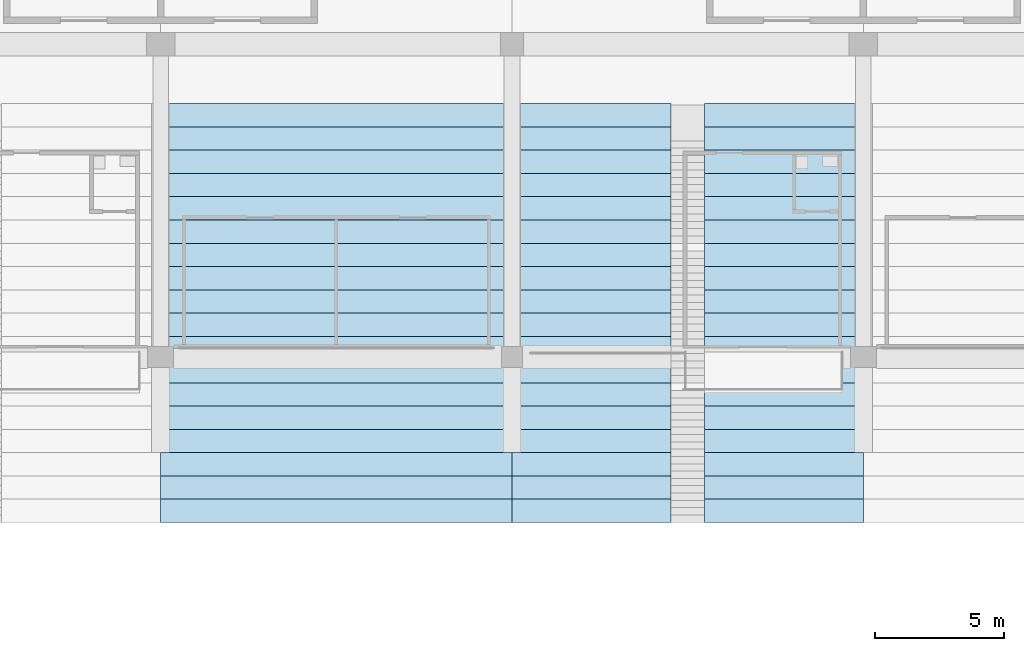
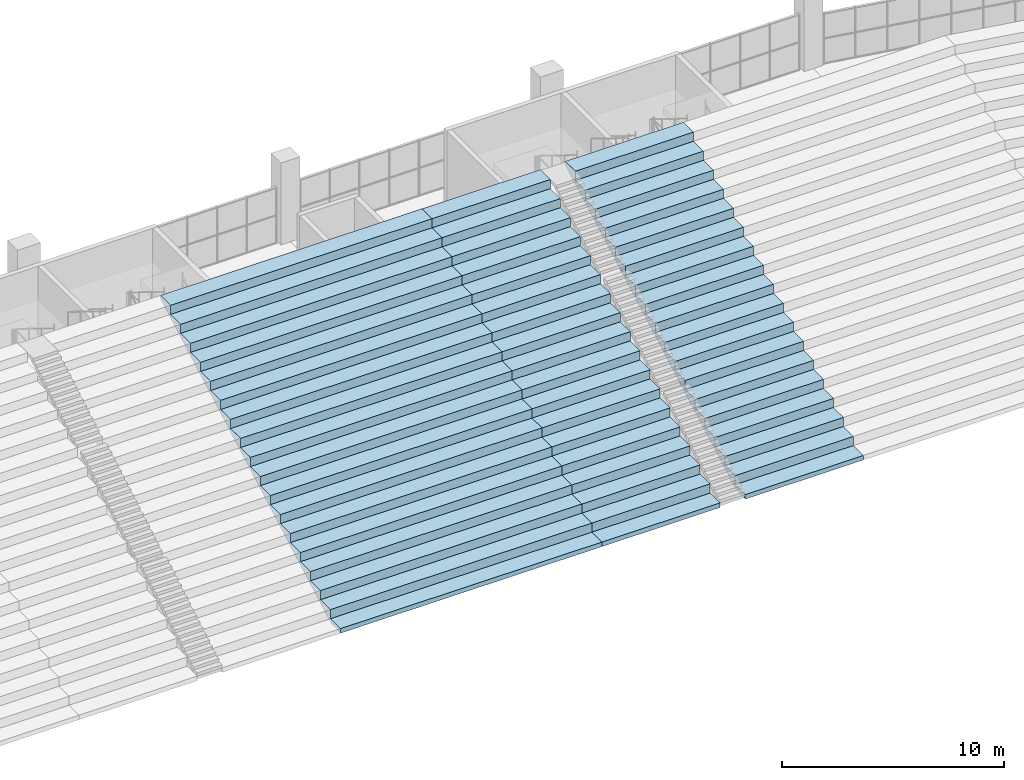
# One storey, part 126 of 249: 2 slabs.
"""IFC4 building model written with IfcOpenShell, lengths in metres."""

from ifc_helpers import new_model, si_unit, direction, frame, origin, place, context, subcontext, project, spatial, faceted_brep, material, layer, layer_set, type_object, element, save


model = new_model("IFC4")

# Units and contexts
model_context = context("Model", 3, precision=1e-05, world=origin(), true_north=direction((0.0, 1.0)))
body_context = subcontext(model_context, "Body", "Model", "MODEL_VIEW")
ifc_project = project(units=[si_unit("LENGTHUNIT", "METRE"), si_unit("AREAUNIT", "SQUARE_METRE"), si_unit("VOLUMEUNIT", "CUBIC_METRE"), si_unit("PLANEANGLEUNIT", "RADIAN"), si_unit("MASSUNIT", "GRAM", prefix="KILO")], contexts=[model_context])

# Site, building, storey
site_placement = place(None, origin())
site = spatial("IfcSite", under=ifc_project, at=site_placement, CompositionType="ELEMENT")
building_placement = place(site_placement, origin())
building = spatial("IfcBuilding", under=site, at=building_placement, Name="Ogive Plaza Stadium", CompositionType="ELEMENT")
storey_placement = place(building_placement, frame((0.0, 0.0, 13.5)))
storey = spatial("IfcBuildingStorey", under=building, at=storey_placement, Name="L03", CompositionType="ELEMENT", Elevation=13.5)

# Slabs
ifc_material = material(Name="Concrete C45/55 precast", Category="concrete")
ifc_layer = layer(ifc_material, 0.699951171875)
ifc_layer_set = layer_set([ifc_layer], Name="Concrete C45/55 precast")
slab_type = type_object("IfcSlabType", Name="Seating tier UT 700", PredefinedType="USERDEFINED", material=ifc_layer_set)
slab_1_placement = place(storey_placement, origin())
element("IfcSlab", 1, at=slab_1_placement, inside=storey, type_object=slab_type, Name="Stand UT B34", ObjectType="SEATING TIER", PredefinedType="USERDEFINED", context=body_context, shape_type="Brep", body=[
    faceted_brep([(6.800048828125, 74.0, 0.5), (6.800048828125, 74.89990234375, 0.5), (-6.800048828125, 74.89990234375, 0.5), (-6.800048828125, 74.0, 0.5), (6.800048828125, 74.89990234375, 0.300048828125), (-6.800048828125, 74.0, 0.25), (-6.800048828125, 74.89990234375, 0.300048828125), (6.800048828125, 74.0, 0.25), (6.800048828125, 74.89990234375, 1.0), (-6.800048828125, 74.89990234375, 1.0), (-6.800048828125, 75.800048828125, 1.0), (-6.800048828125, 75.800048828125, 0.800048828125), (-6.800048828125, 75.800048828125, 1.5), (-6.800048828125, 76.699951171875, 1.5), (-6.800048828125, 76.699951171875, 1.300048828125), (-6.800048828125, 76.699951171875, 2.0), (-6.800048828125, 77.60009765625, 2.0), (-6.800048828125, 77.60009765625, 1.800048828125), (-6.800048828125, 77.60009765625, 2.5), (-6.800048828125, 78.5, 2.5), (-6.800048828125, 78.5, 2.300048828125), (-6.800048828125, 78.5, 3.0), (-6.800048828125, 79.39990234375, 3.0), (-6.800048828125, 79.39990234375, 2.800048828125), (-6.800048828125, 79.39990234375, 3.5), (-6.800048828125, 80.300048828125, 3.5), (-6.800048828125, 80.300048828125, 3.300048828125), (-6.800048828125, 80.300048828125, 4.0), (-6.800048828125, 81.199951171875, 4.0), (-6.800048828125, 81.199951171875, 3.800048828125), (-6.800048828125, 81.199951171875, 4.5), (-6.800048828125, 82.10009765625, 4.5), (-6.800048828125, 82.10009765625, 4.300048828125), (-6.800048828125, 82.10009765625, 5.0), (-6.800048828125, 83.0, 5.0), (-6.800048828125, 83.0, 4.800048828125), (-6.800048828125, 83.0, 5.5), (-6.800048828125, 83.89990234375, 5.5), (-6.800048828125, 83.89990234375, 5.300048828125), (-6.800048828125, 83.89990234375, 6.0), (-6.800048828125, 84.800048828125, 6.0), (-6.800048828125, 84.800048828125, 5.800048828125), (-6.800048828125, 84.800048828125, 6.5), (-6.800048828125, 85.699951171875, 6.5), (-6.800048828125, 85.699951171875, 6.300048828125), (-6.800048828125, 85.699951171875, 7.0), (-6.800048828125, 86.60009765625, 7.0), (-6.800048828125, 86.60009765625, 6.800048828125), (-6.800048828125, 86.60009765625, 7.5), (-6.800048828125, 87.5, 7.5), (-6.800048828125, 87.5, 7.300048828125), (-6.800048828125, 87.5, 8.0), (-6.800048828125, 88.39990234375, 8.0), (-6.800048828125, 88.39990234375, 7.800048828125), (-6.800048828125, 88.39990234375, 8.5), (-6.800048828125, 89.300048828125, 8.5), (-6.800048828125, 89.300048828125, 8.300048828125), (-6.800048828125, 89.300048828125, 9.0), (-6.800048828125, 90.199951171875, 9.0), (-6.800048828125, 90.199951171875, 8.800048828125), (6.800048828125, 75.800048828125, 1.0), (6.800048828125, 75.800048828125, 0.800048828125), (6.800048828125, 76.699951171875, 1.5), (6.800048828125, 75.800048828125, 1.5), (6.800048828125, 76.699951171875, 1.300048828125), (6.800048828125, 77.60009765625, 2.0), (6.800048828125, 76.699951171875, 2.0), (6.800048828125, 77.60009765625, 1.800048828125), (6.800048828125, 78.5, 2.5), (6.800048828125, 77.60009765625, 2.5), (6.800048828125, 78.5, 2.300048828125), (6.800048828125, 79.39990234375, 3.0), (6.800048828125, 78.5, 3.0), (6.800048828125, 79.39990234375, 2.800048828125), (6.800048828125, 80.300048828125, 3.5), (6.800048828125, 79.39990234375, 3.5), (6.800048828125, 80.300048828125, 3.300048828125), (6.800048828125, 81.199951171875, 4.0), (6.800048828125, 80.300048828125, 4.0), (6.800048828125, 81.199951171875, 3.800048828125), (6.800048828125, 82.10009765625, 4.5), (6.800048828125, 81.199951171875, 4.5), (6.800048828125, 82.10009765625, 4.300048828125), (6.800048828125, 83.0, 5.0), (6.800048828125, 82.10009765625, 5.0), (6.800048828125, 83.0, 4.800048828125), (6.800048828125, 83.89990234375, 5.5), (6.800048828125, 83.0, 5.5), (6.800048828125, 83.89990234375, 5.300048828125), (6.800048828125, 84.800048828125, 6.0), (6.800048828125, 83.89990234375, 6.0), (6.800048828125, 84.800048828125, 5.800048828125), (6.800048828125, 85.699951171875, 6.5), (6.800048828125, 84.800048828125, 6.5), (6.800048828125, 85.699951171875, 6.300048828125), (6.800048828125, 86.60009765625, 7.0), (6.800048828125, 85.699951171875, 7.0), (6.800048828125, 86.60009765625, 6.800048828125), (6.800048828125, 87.5, 7.5), (6.800048828125, 86.60009765625, 7.5), (6.800048828125, 87.5, 7.300048828125), (6.800048828125, 88.39990234375, 8.0), (6.800048828125, 87.5, 8.0), (6.800048828125, 88.39990234375, 7.800048828125), (6.800048828125, 89.300048828125, 8.5), (6.800048828125, 88.39990234375, 8.5), (6.800048828125, 89.300048828125, 8.300048828125), (6.800048828125, 90.199951171875, 9.0), (6.800048828125, 89.300048828125, 9.0), (6.800048828125, 90.199951171875, 8.800048828125)], [[[0, 1, 2]], [[2, 3, 0]], [[4, 5, 6]], [[4, 7, 5]], [[1, 8, 9]], [[9, 2, 1]], [[6, 5, 3]], [[6, 3, 2]], [[2, 9, 10]], [[10, 11, 6]], [[6, 2, 10]], [[10, 12, 13]], [[13, 14, 11]], [[11, 10, 13]], [[13, 15, 16]], [[16, 17, 14]], [[14, 13, 16]], [[16, 18, 19]], [[19, 20, 17]], [[17, 16, 19]], [[19, 21, 22]], [[22, 23, 20]], [[20, 19, 22]], [[22, 24, 25]], [[25, 26, 23]], [[23, 22, 25]], [[25, 27, 28]], [[28, 29, 26]], [[26, 25, 28]], [[28, 30, 31]], [[31, 32, 29]], [[29, 28, 31]], [[31, 33, 34]], [[34, 35, 32]], [[32, 31, 34]], [[34, 36, 37]], [[37, 38, 35]], [[35, 34, 37]], [[37, 39, 40]], [[40, 41, 38]], [[38, 37, 40]], [[40, 42, 43]], [[43, 44, 41]], [[41, 40, 43]], [[43, 45, 46]], [[46, 47, 44]], [[44, 43, 46]], [[46, 48, 49]], [[49, 50, 47]], [[47, 46, 49]], [[49, 51, 52]], [[52, 53, 50]], [[50, 49, 52]], [[52, 54, 55]], [[55, 56, 53]], [[53, 52, 55]], [[55, 57, 58]], [[58, 59, 56]], [[56, 55, 58]], [[3, 5, 7]], [[7, 0, 3]], [[0, 7, 4]], [[4, 1, 0]], [[60, 8, 1]], [[1, 4, 61]], [[61, 60, 1]], [[62, 63, 60]], [[60, 61, 64]], [[64, 62, 60]], [[65, 66, 62]], [[62, 64, 67]], [[67, 65, 62]], [[68, 69, 65]], [[65, 67, 70]], [[70, 68, 65]], [[71, 72, 68]], [[68, 70, 73]], [[73, 71, 68]], [[74, 75, 71]], [[71, 73, 76]], [[76, 74, 71]], [[77, 78, 74]], [[74, 76, 79]], [[79, 77, 74]], [[80, 81, 77]], [[77, 79, 82]], [[82, 80, 77]], [[83, 84, 80]], [[80, 82, 85]], [[85, 83, 80]], [[86, 87, 83]], [[83, 85, 88]], [[88, 86, 83]], [[89, 90, 86]], [[86, 88, 91]], [[91, 89, 86]], [[92, 93, 89]], [[89, 91, 94]], [[94, 92, 89]], [[95, 96, 92]], [[92, 94, 97]], [[97, 95, 92]], [[98, 99, 95]], [[95, 97, 100]], [[100, 98, 95]], [[101, 102, 98]], [[98, 100, 103]], [[103, 101, 98]], [[104, 105, 101]], [[101, 103, 106]], [[106, 104, 101]], [[107, 108, 104]], [[104, 106, 109]], [[109, 107, 104]], [[8, 60, 10]], [[10, 9, 8]], [[61, 6, 11]], [[61, 4, 6]], [[64, 11, 14]], [[64, 61, 11]], [[67, 14, 17]], [[67, 64, 14]], [[70, 17, 20]], [[70, 67, 17]], [[73, 20, 23]], [[73, 70, 20]], [[76, 23, 26]], [[76, 73, 23]], [[79, 26, 29]], [[79, 76, 26]], [[82, 29, 32]], [[82, 79, 29]], [[85, 32, 35]], [[85, 82, 32]], [[88, 35, 38]], [[88, 85, 35]], [[91, 38, 41]], [[91, 88, 38]], [[94, 41, 44]], [[94, 91, 41]], [[97, 44, 47]], [[97, 94, 44]], [[100, 47, 50]], [[100, 97, 47]], [[60, 63, 12]], [[12, 10, 60]], [[63, 62, 13]], [[13, 12, 63]], [[62, 66, 15]], [[15, 13, 62]], [[66, 65, 16]], [[16, 15, 66]], [[65, 69, 18]], [[18, 16, 65]], [[69, 68, 19]], [[19, 18, 69]], [[68, 72, 21]], [[21, 19, 68]], [[72, 71, 22]], [[22, 21, 72]], [[71, 75, 24]], [[24, 22, 71]], [[75, 74, 25]], [[25, 24, 75]], [[74, 78, 27]], [[27, 25, 74]], [[78, 77, 28]], [[28, 27, 78]], [[77, 81, 30]], [[30, 28, 77]], [[81, 80, 31]], [[31, 30, 81]], [[80, 84, 33]], [[33, 31, 80]], [[84, 83, 34]], [[34, 33, 84]], [[83, 87, 36]], [[36, 34, 83]], [[87, 86, 37]], [[37, 36, 87]], [[86, 90, 39]], [[39, 37, 86]], [[90, 89, 40]], [[40, 39, 90]], [[89, 93, 42]], [[42, 40, 89]], [[93, 92, 43]], [[43, 42, 93]], [[92, 96, 45]], [[45, 43, 92]], [[96, 95, 46]], [[46, 45, 96]], [[95, 99, 48]], [[48, 46, 95]], [[99, 98, 49]], [[49, 48, 99]], [[98, 102, 51]], [[51, 49, 98]], [[102, 101, 52]], [[52, 51, 102]], [[103, 50, 53]], [[103, 100, 50]], [[106, 53, 56]], [[106, 103, 53]], [[109, 56, 59]], [[109, 106, 56]], [[101, 105, 54]], [[54, 52, 101]], [[105, 104, 55]], [[55, 54, 105]], [[104, 108, 57]], [[57, 55, 104]], [[108, 107, 58]], [[58, 57, 108]], [[107, 109, 59]], [[59, 58, 107]]]),
])
slab_2_placement = place(storey_placement, origin())
element("IfcSlab", 2, at=slab_2_placement, inside=storey, type_object=slab_type, Name="Stand UT B35", ObjectType="SEATING TIER", PredefinedType="USERDEFINED", context=body_context, shape_type="Brep", body=[
    faceted_brep([(12.949951171875, 74.0, 0.5), (12.949951171875, 74.89990234375, 0.5), (6.800048828125, 74.89990234375, 0.5), (6.800048828125, 74.0, 0.5), (20.39990234375, 74.0, 0.5), (20.39990234375, 74.89990234375, 0.5), (14.25, 74.89990234375, 0.5), (14.25, 74.0, 0.5), (12.949951171875, 74.89990234375, 0.300048828125), (6.800048828125, 74.0, 0.25), (6.800048828125, 74.89990234375, 0.300048828125), (12.949951171875, 74.0, 0.25), (20.39990234375, 74.89990234375, 0.300048828125), (14.25, 74.0, 0.25), (14.25, 74.89990234375, 0.300048828125), (20.39990234375, 74.0, 0.25), (12.949951171875, 74.89990234375, 1.0), (6.800048828125, 74.89990234375, 1.0), (20.39990234375, 74.89990234375, 1.0), (14.25, 74.89990234375, 1.0), (6.800048828125, 75.800048828125, 1.0), (6.800048828125, 75.800048828125, 0.800048828125), (6.800048828125, 75.800048828125, 1.5), (6.800048828125, 76.699951171875, 1.5), (6.800048828125, 76.699951171875, 1.300048828125), (6.800048828125, 76.699951171875, 2.0), (6.800048828125, 77.60009765625, 2.0), (6.800048828125, 77.60009765625, 1.800048828125), (6.800048828125, 77.60009765625, 2.5), (6.800048828125, 78.5, 2.5), (6.800048828125, 78.5, 2.300048828125), (6.800048828125, 78.5, 3.0), (6.800048828125, 79.39990234375, 3.0), (6.800048828125, 79.39990234375, 2.800048828125), (6.800048828125, 79.39990234375, 3.5), (6.800048828125, 80.300048828125, 3.5), (6.800048828125, 80.300048828125, 3.300048828125), (6.800048828125, 80.300048828125, 4.0), (6.800048828125, 81.199951171875, 4.0), (6.800048828125, 81.199951171875, 3.800048828125), (6.800048828125, 81.199951171875, 4.5), (6.800048828125, 82.10009765625, 4.5), (6.800048828125, 82.10009765625, 4.300048828125), (6.800048828125, 82.10009765625, 5.0), (6.800048828125, 83.0, 5.0), (6.800048828125, 83.0, 4.800048828125), (6.800048828125, 83.0, 5.5), (6.800048828125, 83.89990234375, 5.5), (6.800048828125, 83.89990234375, 5.300048828125), (6.800048828125, 83.89990234375, 6.0), (6.800048828125, 84.800048828125, 6.0), (6.800048828125, 84.800048828125, 5.800048828125), (6.800048828125, 84.800048828125, 6.5), (6.800048828125, 85.699951171875, 6.5), (6.800048828125, 85.699951171875, 6.300048828125), (6.800048828125, 85.699951171875, 7.0), (6.800048828125, 86.60009765625, 7.0), (6.800048828125, 86.60009765625, 6.800048828125), (6.800048828125, 86.60009765625, 7.5), (6.800048828125, 87.5, 7.5), (6.800048828125, 87.5, 7.300048828125), (6.800048828125, 87.5, 8.0), (6.800048828125, 88.39990234375, 8.0), (6.800048828125, 88.39990234375, 7.800048828125), (6.800048828125, 88.39990234375, 8.5), (6.800048828125, 89.300048828125, 8.5), (6.800048828125, 89.300048828125, 8.300048828125), (6.800048828125, 89.300048828125, 9.0), (6.800048828125, 90.199951171875, 9.0), (6.800048828125, 90.199951171875, 8.800048828125), (12.949951171875, 75.800048828125, 1.0), (12.949951171875, 75.800048828125, 0.800048828125), (12.949951171875, 76.699951171875, 1.5), (12.949951171875, 75.800048828125, 1.5), (12.949951171875, 76.699951171875, 1.300048828125), (12.949951171875, 77.60009765625, 2.0), (12.949951171875, 76.699951171875, 2.0), (12.949951171875, 77.60009765625, 1.800048828125), (12.949951171875, 78.5, 2.5), (12.949951171875, 77.60009765625, 2.5), (12.949951171875, 78.5, 2.300048828125), (12.949951171875, 79.39990234375, 3.0), (12.949951171875, 78.5, 3.0), (12.949951171875, 79.39990234375, 2.800048828125), (12.949951171875, 80.300048828125, 3.5), (12.949951171875, 79.39990234375, 3.5), (12.949951171875, 80.300048828125, 3.300048828125), (12.949951171875, 81.199951171875, 4.0), (12.949951171875, 80.300048828125, 4.0), (12.949951171875, 81.199951171875, 3.800048828125), (12.949951171875, 82.10009765625, 4.5), (12.949951171875, 81.199951171875, 4.5), (12.949951171875, 82.10009765625, 4.300048828125), (12.949951171875, 83.0, 5.0), (12.949951171875, 82.10009765625, 5.0), (12.949951171875, 83.0, 4.800048828125), (12.949951171875, 83.89990234375, 5.5), (12.949951171875, 83.0, 5.5), (12.949951171875, 83.89990234375, 5.300048828125), (12.949951171875, 84.800048828125, 6.0), (12.949951171875, 83.89990234375, 6.0), (12.949951171875, 84.800048828125, 5.800048828125), (12.949951171875, 85.699951171875, 6.5), (12.949951171875, 84.800048828125, 6.5), (12.949951171875, 85.699951171875, 6.300048828125), (12.949951171875, 86.60009765625, 7.0), (12.949951171875, 85.699951171875, 7.0), (12.949951171875, 86.60009765625, 6.800048828125), (12.949951171875, 87.5, 7.5), (12.949951171875, 86.60009765625, 7.5), (12.949951171875, 87.5, 7.300048828125), (12.949951171875, 88.39990234375, 8.0), (12.949951171875, 87.5, 8.0), (12.949951171875, 88.39990234375, 7.800048828125), (12.949951171875, 89.300048828125, 8.5), (12.949951171875, 88.39990234375, 8.5), (12.949951171875, 89.300048828125, 8.300048828125), (12.949951171875, 90.199951171875, 9.0), (12.949951171875, 89.300048828125, 9.0), (12.949951171875, 90.199951171875, 8.800048828125), (14.25, 75.800048828125, 1.0), (14.25, 75.800048828125, 0.800048828125), (14.25, 75.800048828125, 1.5), (14.25, 76.699951171875, 1.5), (14.25, 76.699951171875, 1.300048828125), (14.25, 76.699951171875, 2.0), (14.25, 77.60009765625, 2.0), (14.25, 77.60009765625, 1.800048828125), (14.25, 77.60009765625, 2.5), (14.25, 78.5, 2.5), (14.25, 78.5, 2.300048828125), (14.25, 78.5, 3.0), (14.25, 79.39990234375, 3.0), (14.25, 79.39990234375, 2.800048828125), (14.25, 79.39990234375, 3.5), (14.25, 80.300048828125, 3.5), (14.25, 80.300048828125, 3.300048828125), (14.25, 80.300048828125, 4.0), (14.25, 81.199951171875, 4.0), (14.25, 81.199951171875, 3.800048828125), (14.25, 81.199951171875, 4.5), (14.25, 82.10009765625, 4.5), (14.25, 82.10009765625, 4.300048828125), (14.25, 82.10009765625, 5.0), (14.25, 83.0, 5.0), (14.25, 83.0, 4.800048828125), (14.25, 83.0, 5.5), (14.25, 83.89990234375, 5.5), (14.25, 83.89990234375, 5.300048828125), (14.25, 83.89990234375, 6.0), (14.25, 84.800048828125, 6.0), (14.25, 84.800048828125, 5.800048828125), (14.25, 84.800048828125, 6.5), (14.25, 85.699951171875, 6.5), (14.25, 85.699951171875, 6.300048828125), (14.25, 85.699951171875, 7.0), (14.25, 86.60009765625, 7.0), (14.25, 86.60009765625, 6.800048828125), (14.25, 86.60009765625, 7.5), (14.25, 87.5, 7.5), (14.25, 87.5, 7.300048828125), (14.25, 87.5, 8.0), (14.25, 88.39990234375, 8.0), (14.25, 88.39990234375, 7.800048828125), (14.25, 88.39990234375, 8.5), (14.25, 89.300048828125, 8.5), (14.25, 89.300048828125, 8.300048828125), (14.25, 89.300048828125, 9.0), (14.25, 90.199951171875, 9.0), (14.25, 90.199951171875, 8.800048828125), (20.39990234375, 75.800048828125, 1.0), (20.39990234375, 75.800048828125, 0.800048828125), (20.39990234375, 76.699951171875, 1.5), (20.39990234375, 75.800048828125, 1.5), (20.39990234375, 76.699951171875, 1.300048828125), (20.39990234375, 77.60009765625, 2.0), (20.39990234375, 76.699951171875, 2.0), (20.39990234375, 77.60009765625, 1.800048828125), (20.39990234375, 78.5, 2.5), (20.39990234375, 77.60009765625, 2.5), (20.39990234375, 78.5, 2.300048828125), (20.39990234375, 79.39990234375, 3.0), (20.39990234375, 78.5, 3.0), (20.39990234375, 79.39990234375, 2.800048828125), (20.39990234375, 80.300048828125, 3.5), (20.39990234375, 79.39990234375, 3.5), (20.39990234375, 80.300048828125, 3.300048828125), (20.39990234375, 81.199951171875, 4.0), (20.39990234375, 80.300048828125, 4.0), (20.39990234375, 81.199951171875, 3.800048828125), (20.39990234375, 82.10009765625, 4.5), (20.39990234375, 81.199951171875, 4.5), (20.39990234375, 82.10009765625, 4.300048828125), (20.39990234375, 83.0, 5.0), (20.39990234375, 82.10009765625, 5.0), (20.39990234375, 83.0, 4.800048828125), (20.39990234375, 83.89990234375, 5.5), (20.39990234375, 83.0, 5.5), (20.39990234375, 83.89990234375, 5.300048828125), (20.39990234375, 84.800048828125, 6.0), (20.39990234375, 83.89990234375, 6.0), (20.39990234375, 84.800048828125, 5.800048828125), (20.39990234375, 85.699951171875, 6.5), (20.39990234375, 84.800048828125, 6.5), (20.39990234375, 85.699951171875, 6.300048828125), (20.39990234375, 86.60009765625, 7.0), (20.39990234375, 85.699951171875, 7.0), (20.39990234375, 86.60009765625, 6.800048828125), (20.39990234375, 87.5, 7.5), (20.39990234375, 86.60009765625, 7.5), (20.39990234375, 87.5, 7.300048828125), (20.39990234375, 88.39990234375, 8.0), (20.39990234375, 87.5, 8.0), (20.39990234375, 88.39990234375, 7.800048828125), (20.39990234375, 89.300048828125, 8.5), (20.39990234375, 88.39990234375, 8.5), (20.39990234375, 89.300048828125, 8.300048828125), (20.39990234375, 90.199951171875, 9.0), (20.39990234375, 89.300048828125, 9.0), (20.39990234375, 90.199951171875, 8.800048828125)], [[[0, 1, 2]], [[2, 3, 0]], [[4, 5, 6]], [[6, 7, 4]], [[8, 9, 10]], [[8, 11, 9]], [[12, 13, 14]], [[12, 15, 13]], [[1, 16, 17]], [[17, 2, 1]], [[5, 18, 19]], [[19, 6, 5]], [[10, 9, 3]], [[10, 3, 2]], [[2, 17, 20]], [[20, 21, 10]], [[10, 2, 20]], [[20, 22, 23]], [[23, 24, 21]], [[21, 20, 23]], [[23, 25, 26]], [[26, 27, 24]], [[24, 23, 26]], [[26, 28, 29]], [[29, 30, 27]], [[27, 26, 29]], [[29, 31, 32]], [[32, 33, 30]], [[30, 29, 32]], [[32, 34, 35]], [[35, 36, 33]], [[33, 32, 35]], [[35, 37, 38]], [[38, 39, 36]], [[36, 35, 38]], [[38, 40, 41]], [[41, 42, 39]], [[39, 38, 41]], [[41, 43, 44]], [[44, 45, 42]], [[42, 41, 44]], [[44, 46, 47]], [[47, 48, 45]], [[45, 44, 47]], [[47, 49, 50]], [[50, 51, 48]], [[48, 47, 50]], [[50, 52, 53]], [[53, 54, 51]], [[51, 50, 53]], [[53, 55, 56]], [[56, 57, 54]], [[54, 53, 56]], [[56, 58, 59]], [[59, 60, 57]], [[57, 56, 59]], [[59, 61, 62]], [[62, 63, 60]], [[60, 59, 62]], [[62, 64, 65]], [[65, 66, 63]], [[63, 62, 65]], [[65, 67, 68]], [[68, 69, 66]], [[66, 65, 68]], [[3, 9, 11]], [[11, 0, 3]], [[7, 13, 15]], [[15, 4, 7]], [[0, 11, 8]], [[8, 1, 0]], [[70, 16, 1]], [[1, 8, 71]], [[71, 70, 1]], [[72, 73, 70]], [[70, 71, 74]], [[74, 72, 70]], [[75, 76, 72]], [[72, 74, 77]], [[77, 75, 72]], [[78, 79, 75]], [[75, 77, 80]], [[80, 78, 75]], [[81, 82, 78]], [[78, 80, 83]], [[83, 81, 78]], [[84, 85, 81]], [[81, 83, 86]], [[86, 84, 81]], [[87, 88, 84]], [[84, 86, 89]], [[89, 87, 84]], [[90, 91, 87]], [[87, 89, 92]], [[92, 90, 87]], [[93, 94, 90]], [[90, 92, 95]], [[95, 93, 90]], [[96, 97, 93]], [[93, 95, 98]], [[98, 96, 93]], [[99, 100, 96]], [[96, 98, 101]], [[101, 99, 96]], [[102, 103, 99]], [[99, 101, 104]], [[104, 102, 99]], [[105, 106, 102]], [[102, 104, 107]], [[107, 105, 102]], [[108, 109, 105]], [[105, 107, 110]], [[110, 108, 105]], [[111, 112, 108]], [[108, 110, 113]], [[113, 111, 108]], [[114, 115, 111]], [[111, 113, 116]], [[116, 114, 111]], [[117, 118, 114]], [[114, 116, 119]], [[119, 117, 114]], [[14, 13, 7]], [[14, 7, 6]], [[6, 19, 120]], [[120, 121, 14]], [[14, 6, 120]], [[120, 122, 123]], [[123, 124, 121]], [[121, 120, 123]], [[123, 125, 126]], [[126, 127, 124]], [[124, 123, 126]], [[126, 128, 129]], [[129, 130, 127]], [[127, 126, 129]], [[129, 131, 132]], [[132, 133, 130]], [[130, 129, 132]], [[132, 134, 135]], [[135, 136, 133]], [[133, 132, 135]], [[135, 137, 138]], [[138, 139, 136]], [[136, 135, 138]], [[138, 140, 141]], [[141, 142, 139]], [[139, 138, 141]], [[141, 143, 144]], [[144, 145, 142]], [[142, 141, 144]], [[144, 146, 147]], [[147, 148, 145]], [[145, 144, 147]], [[147, 149, 150]], [[150, 151, 148]], [[148, 147, 150]], [[150, 152, 153]], [[153, 154, 151]], [[151, 150, 153]], [[153, 155, 156]], [[156, 157, 154]], [[154, 153, 156]], [[156, 158, 159]], [[159, 160, 157]], [[157, 156, 159]], [[159, 161, 162]], [[162, 163, 160]], [[160, 159, 162]], [[162, 164, 165]], [[165, 166, 163]], [[163, 162, 165]], [[165, 167, 168]], [[168, 169, 166]], [[166, 165, 168]], [[4, 15, 12]], [[12, 5, 4]], [[170, 18, 5]], [[5, 12, 171]], [[171, 170, 5]], [[172, 173, 170]], [[170, 171, 174]], [[174, 172, 170]], [[175, 176, 172]], [[172, 174, 177]], [[177, 175, 172]], [[178, 179, 175]], [[175, 177, 180]], [[180, 178, 175]], [[181, 182, 178]], [[178, 180, 183]], [[183, 181, 178]], [[184, 185, 181]], [[181, 183, 186]], [[186, 184, 181]], [[187, 188, 184]], [[184, 186, 189]], [[189, 187, 184]], [[190, 191, 187]], [[187, 189, 192]], [[192, 190, 187]], [[193, 194, 190]], [[190, 192, 195]], [[195, 193, 190]], [[196, 197, 193]], [[193, 195, 198]], [[198, 196, 193]], [[199, 200, 196]], [[196, 198, 201]], [[201, 199, 196]], [[202, 203, 199]], [[199, 201, 204]], [[204, 202, 199]], [[205, 206, 202]], [[202, 204, 207]], [[207, 205, 202]], [[208, 209, 205]], [[205, 207, 210]], [[210, 208, 205]], [[211, 212, 208]], [[208, 210, 213]], [[213, 211, 208]], [[214, 215, 211]], [[211, 213, 216]], [[216, 214, 211]], [[217, 218, 214]], [[214, 216, 219]], [[219, 217, 214]], [[16, 70, 20]], [[20, 17, 16]], [[18, 170, 120]], [[120, 19, 18]], [[71, 10, 21]], [[71, 8, 10]], [[171, 14, 121]], [[171, 12, 14]], [[74, 21, 24]], [[74, 71, 21]], [[174, 121, 124]], [[174, 171, 121]], [[77, 24, 27]], [[77, 74, 24]], [[177, 124, 127]], [[177, 174, 124]], [[80, 27, 30]], [[80, 77, 27]], [[180, 127, 130]], [[180, 177, 127]], [[83, 30, 33]], [[83, 80, 30]], [[183, 130, 133]], [[183, 180, 130]], [[86, 33, 36]], [[86, 83, 33]], [[186, 133, 136]], [[186, 183, 133]], [[89, 36, 39]], [[89, 86, 36]], [[189, 136, 139]], [[189, 186, 136]], [[92, 39, 42]], [[92, 89, 39]], [[192, 139, 142]], [[192, 189, 139]], [[95, 42, 45]], [[95, 92, 42]], [[195, 142, 145]], [[195, 192, 142]], [[98, 45, 48]], [[98, 95, 45]], [[198, 145, 148]], [[198, 195, 145]], [[101, 48, 51]], [[101, 98, 48]], [[201, 148, 151]], [[201, 198, 148]], [[104, 51, 54]], [[104, 101, 51]], [[204, 151, 154]], [[204, 201, 151]], [[107, 54, 57]], [[107, 104, 54]], [[207, 154, 157]], [[207, 204, 154]], [[110, 57, 60]], [[110, 107, 57]], [[210, 157, 160]], [[210, 207, 157]], [[70, 73, 22]], [[22, 20, 70]], [[170, 173, 122]], [[122, 120, 170]], [[73, 72, 23]], [[23, 22, 73]], [[173, 172, 123]], [[123, 122, 173]], [[72, 76, 25]], [[25, 23, 72]], [[172, 176, 125]], [[125, 123, 172]], [[76, 75, 26]], [[26, 25, 76]], [[176, 175, 126]], [[126, 125, 176]], [[75, 79, 28]], [[28, 26, 75]], [[175, 179, 128]], [[128, 126, 175]], [[79, 78, 29]], [[29, 28, 79]], [[179, 178, 129]], [[129, 128, 179]], [[78, 82, 31]], [[31, 29, 78]], [[178, 182, 131]], [[131, 129, 178]], [[82, 81, 32]], [[32, 31, 82]], [[182, 181, 132]], [[132, 131, 182]], [[81, 85, 34]], [[34, 32, 81]], [[181, 185, 134]], [[134, 132, 181]], [[85, 84, 35]], [[35, 34, 85]], [[185, 184, 135]], [[135, 134, 185]], [[84, 88, 37]], [[37, 35, 84]], [[184, 188, 137]], [[137, 135, 184]], [[88, 87, 38]], [[38, 37, 88]], [[188, 187, 138]], [[138, 137, 188]], [[87, 91, 40]], [[40, 38, 87]], [[187, 191, 140]], [[140, 138, 187]], [[91, 90, 41]], [[41, 40, 91]], [[191, 190, 141]], [[141, 140, 191]], [[90, 94, 43]], [[43, 41, 90]], [[190, 194, 143]], [[143, 141, 190]], [[94, 93, 44]], [[44, 43, 94]], [[194, 193, 144]], [[144, 143, 194]], [[93, 97, 46]], [[46, 44, 93]], [[193, 197, 146]], [[146, 144, 193]], [[97, 96, 47]], [[47, 46, 97]], [[197, 196, 147]], [[147, 146, 197]], [[96, 100, 49]], [[49, 47, 96]], [[196, 200, 149]], [[149, 147, 196]], [[100, 99, 50]], [[50, 49, 100]], [[200, 199, 150]], [[150, 149, 200]], [[99, 103, 52]], [[52, 50, 99]], [[199, 203, 152]], [[152, 150, 199]], [[103, 102, 53]], [[53, 52, 103]], [[203, 202, 153]], [[153, 152, 203]], [[102, 106, 55]], [[55, 53, 102]], [[202, 206, 155]], [[155, 153, 202]], [[106, 105, 56]], [[56, 55, 106]], [[206, 205, 156]], [[156, 155, 206]], [[105, 109, 58]], [[58, 56, 105]], [[205, 209, 158]], [[158, 156, 205]], [[109, 108, 59]], [[59, 58, 109]], [[209, 208, 159]], [[159, 158, 209]], [[108, 112, 61]], [[61, 59, 108]], [[208, 212, 161]], [[161, 159, 208]], [[112, 111, 62]], [[62, 61, 112]], [[212, 211, 162]], [[162, 161, 212]], [[113, 60, 63]], [[113, 110, 60]], [[213, 160, 163]], [[213, 210, 160]], [[116, 63, 66]], [[116, 113, 63]], [[216, 163, 166]], [[216, 213, 163]], [[119, 66, 69]], [[119, 116, 66]], [[219, 166, 169]], [[219, 216, 166]], [[111, 115, 64]], [[64, 62, 111]], [[211, 215, 164]], [[164, 162, 211]], [[115, 114, 65]], [[65, 64, 115]], [[215, 214, 165]], [[165, 164, 215]], [[114, 118, 67]], [[67, 65, 114]], [[214, 218, 167]], [[167, 165, 214]], [[118, 117, 68]], [[68, 67, 118]], [[218, 217, 168]], [[168, 167, 218]], [[117, 119, 69]], [[69, 68, 117]], [[217, 219, 169]], [[169, 168, 217]]]),
])

save(model, "model.ifc")
